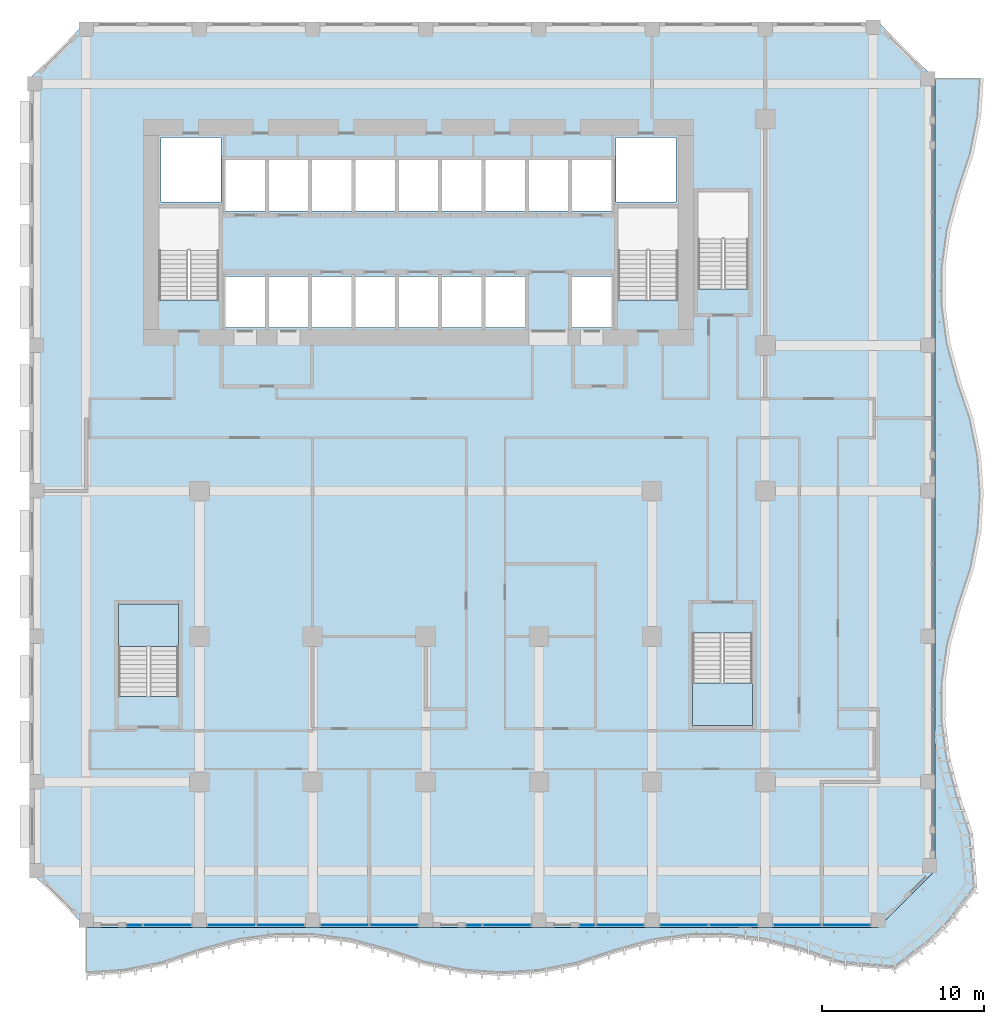
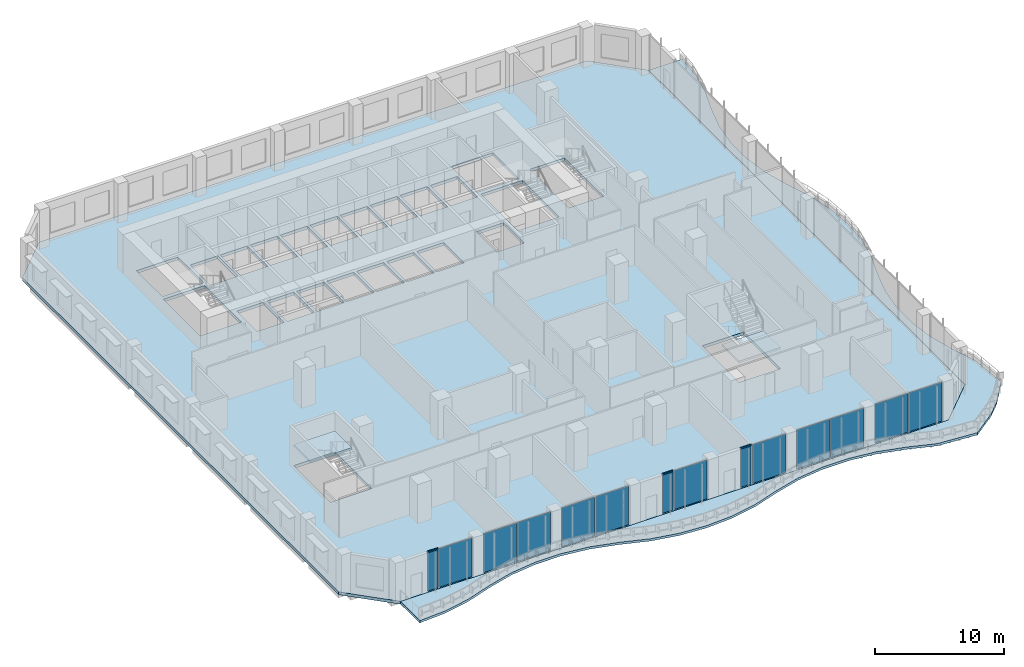
# One storey, part 10 of 26: 14 plates, 4 slabs, 3 members, 16 elements without a shape of their own.
"""IFC4 building model written with IfcOpenShell, lengths in metres."""

from ifc_helpers import new_model, si_unit, direction, frame, origin, origin_2d, place, context, subcontext, project, spatial, polyline, rectangle, outline, extrude, source, transform, mapped, material, layer, layer_set, material_profile, profile_set, type_object, element, aggregate, save


model = new_model("IFC4")

# Units and contexts
model_context = context("Model", 3, precision=1e-05, world=origin(), true_north=direction((0.0, 1.0)))
body_context = subcontext(model_context, "Body", "Model", "MODEL_VIEW")
ifc_project = project(units=[si_unit("LENGTHUNIT", "METRE"), si_unit("AREAUNIT", "SQUARE_METRE"), si_unit("VOLUMEUNIT", "CUBIC_METRE"), si_unit("PLANEANGLEUNIT", "RADIAN"), si_unit("MASSUNIT", "GRAM", prefix="KILO")], contexts=[model_context])

# Site, building, storey
site_placement = place(None, origin())
site = spatial("IfcSite", under=ifc_project, at=site_placement, CompositionType="ELEMENT")
building_placement = place(site_placement, origin())
building = spatial("IfcBuilding", under=site, at=building_placement, Name="Kilnfold Tower and Market Hall", CompositionType="ELEMENT")
storey_placement = place(building_placement, frame((0.0, 0.0, 83.199951171875)))
storey = spatial("IfcBuildingStorey", under=building, at=storey_placement, Name="L19", CompositionType="ELEMENT", Elevation=83.199951171875)

# Curtain wall, member
ifc_material_1 = material(Name="Aluminium and double glazing", Category="aluminium")
curtain_wall_type = type_object("IfcCurtainWallType", Name="CW OF1 VALLEY GLAZING", PredefinedType="NOTDEFINED", material=ifc_material_1)
curtain_wall_1_placement = place(storey_placement, origin())
curtain_wall_1 = element("IfcCurtainWall", 1, at=curtain_wall_1_placement, inside=storey, type_object=curtain_wall_type, Name="Curtain wall CW1 L19 S", PredefinedType="NOTDEFINED")
ifc_material_2 = material(Name="Aluminium", Category="aluminium")
ifc_material_profile = material_profile(ifc_material_2, rectangle(XDim=0.06005859375, YDim=0.139892578125, at=origin_2d()), Name="TRANSOM 60x140")
ifc_profile_set = profile_set([ifc_material_profile], Name="Aluminium")
member_type = type_object("IfcMemberType", Name="TRANSOM 60X140", PredefinedType="USERDEFINED", material=ifc_profile_set)
shared_shape_1 = source(origin(), body_context, "Body", "SweptSolid", [
    extrude(rectangle(XDim=0.06005859375, YDim=0.139892578125, at=origin_2d()), origin(), (0.0, 0.0, 1.0), 0.929931640625),
])
member_1_placement = place(storey_placement, frame((-16.989990234375, -27.85009765625, 3.68994140625), z_axis=(1.0, 0.0, 0.0), x_axis=(0.0, 1.0, 0.0)))
member_1 = element("IfcMember", 2, at=member_1_placement, type_object=member_type, Name="CW1 transom 1.2", ObjectType="TRANSOM", PredefinedType="USERDEFINED", context=body_context, shape_type="MappedRepresentation", body=[
    mapped(shared_shape_1, transform((0.0, 0.0, 0.0))),
])

curtain_wall_2_placement = place(storey_placement, origin())
curtain_wall_2 = element("IfcCurtainWall", 3, at=curtain_wall_2_placement, inside=storey, type_object=curtain_wall_type, Name="Curtain wall CW1 L19 S", PredefinedType="NOTDEFINED")
member_2_placement = place(storey_placement, frame((4.010009765625, -27.85009765625, 3.68994140625), z_axis=(1.0, 0.0, 0.0), x_axis=(0.0, 1.0, 0.0)))
member_2 = element("IfcMember", 4, at=member_2_placement, type_object=member_type, Name="CW1 transom 1.2", ObjectType="TRANSOM", PredefinedType="USERDEFINED", context=body_context, shape_type="MappedRepresentation", body=[
    mapped(shared_shape_1, transform((0.0, 0.0, 0.0))),
])

curtain_wall_3_placement = place(storey_placement, origin())
curtain_wall_3 = element("IfcCurtainWall", 5, at=curtain_wall_3_placement, inside=storey, type_object=curtain_wall_type, Name="Curtain wall CW1 L19 S", PredefinedType="NOTDEFINED")
member_3_placement = place(storey_placement, frame((11.010009765625, -27.85009765625, 3.68994140625), z_axis=(1.0, 0.0, 0.0), x_axis=(0.0, 1.0, 0.0)))
member_3 = element("IfcMember", 6, at=member_3_placement, type_object=member_type, Name="CW1 transom 1.2", ObjectType="TRANSOM", PredefinedType="USERDEFINED", context=body_context, shape_type="MappedRepresentation", body=[
    mapped(shared_shape_1, transform((0.0, 0.0, 0.0))),
])

# Slab
ifc_material_3 = material(Name="Concrete C45", Category="concrete")
ifc_layer_1 = layer(ifc_material_3, 0.280029296875)
ifc_layer_set_1 = layer_set([ifc_layer_1], Name="Concrete C45")
slab_type_1 = type_object("IfcSlabType", Name="FLOOR SLAB 280", PredefinedType="FLOOR", material=ifc_layer_set_1)
shared_shape_2 = source(origin(), body_context, "Body", "SweptSolid", [
    extrude(outline(polyline([(-19.5, -28.0), (29.5, -28.0), (33.0, -24.5), (33.0, 24.5), (29.5, 28.0), (-19.5, 28.0), (-23.0, 24.5), (-23.0, -24.5), (-19.5, -28.0)]), holes=[polyline([(-13.800537109375, -13.699462890625), (-17.49951171875, -13.699462890625), (-17.49951171875, -8.00048828125), (-13.800537109375, -8.00048828125), (-13.800537109375, -13.699462890625)]), polyline([(-14.99951171875, 10.800537109375), (-14.99951171875, 16.49951171875), (-11.300537109375, 16.49951171875), (-11.300537109375, 10.800537109375), (-14.99951171875, 10.800537109375)]), polyline([(-14.875, 16.875), (-14.875, 20.875), (-11.175048828125, 20.875), (-11.175048828125, 16.875), (-14.875, 16.875)]), polyline([(-10.885009765625, 9.125), (-10.885009765625, 12.27490234375), (-8.455078125, 12.27490234375), (-8.455078125, 9.125), (-10.885009765625, 9.125)]), polyline([(-8.455078125, 16.324951171875), (-10.885009765625, 16.324951171875), (-10.885009765625, 19.47509765625), (-8.455078125, 19.47509765625), (-8.455078125, 16.324951171875)]), polyline([(-8.205078125, 9.125), (-8.205078125, 12.27490234375), (-5.77490234375, 12.27490234375), (-5.77490234375, 9.125), (-8.205078125, 9.125)]), polyline([(-8.205078125, 16.324951171875), (-8.205078125, 19.47509765625), (-5.77490234375, 19.47509765625), (-5.77490234375, 16.324951171875), (-8.205078125, 16.324951171875)]), polyline([(-3.094970703125, 9.125), (-5.52490234375, 9.125), (-5.52490234375, 12.27490234375), (-3.094970703125, 12.27490234375), (-3.094970703125, 9.125)]), polyline([(-5.52490234375, 16.324951171875), (-5.52490234375, 19.47509765625), (-3.094970703125, 19.47509765625), (-3.094970703125, 16.324951171875), (-5.52490234375, 16.324951171875)]), polyline([(-2.844970703125, 9.125), (-2.844970703125, 12.27490234375), (-0.4150390625, 12.27490234375), (-0.4150390625, 9.125), (-2.844970703125, 9.125)]), polyline([(-0.4150390625, 16.324951171875), (-2.844970703125, 16.324951171875), (-2.844970703125, 19.47509765625), (-0.4150390625, 19.47509765625), (-0.4150390625, 16.324951171875)]), polyline([(-0.1650390625, 9.125), (-0.1650390625, 12.27490234375), (2.264892578125, 12.27490234375), (2.264892578125, 9.125), (-0.1650390625, 9.125)]), polyline([(-0.1650390625, 16.324951171875), (-0.1650390625, 19.47509765625), (2.264892578125, 19.47509765625), (2.264892578125, 16.324951171875), (-0.1650390625, 16.324951171875)]), polyline([(2.514892578125, 9.125), (2.514892578125, 12.27490234375), (4.945068359375, 12.27490234375), (4.945068359375, 9.125), (2.514892578125, 9.125)]), polyline([(2.514892578125, 16.324951171875), (2.514892578125, 19.47509765625), (4.945068359375, 19.47509765625), (4.945068359375, 16.324951171875), (2.514892578125, 16.324951171875)]), polyline([(7.625, 9.125), (5.195068359375, 9.125), (5.195068359375, 12.27490234375), (7.625, 12.27490234375), (7.625, 9.125)]), polyline([(5.195068359375, 16.324951171875), (5.195068359375, 19.47509765625), (7.625, 19.47509765625), (7.625, 16.324951171875), (5.195068359375, 16.324951171875)]), polyline([(10.304931640625, 16.324951171875), (7.875, 16.324951171875), (7.875, 19.47509765625), (10.304931640625, 19.47509765625), (10.304931640625, 16.324951171875)]), polyline([(10.554931640625, 9.125), (10.554931640625, 12.27490234375), (12.985107421875, 12.27490234375), (12.985107421875, 9.125), (10.554931640625, 9.125)]), polyline([(10.554931640625, 16.324951171875), (10.554931640625, 19.47509765625), (12.985107421875, 19.47509765625), (12.985107421875, 16.324951171875), (10.554931640625, 16.324951171875)]), polyline([(13.27490234375, 16.875), (13.27490234375, 20.875), (16.97509765625, 20.875), (16.97509765625, 16.875), (13.27490234375, 16.875)]), polyline([(13.400390625, 10.800537109375), (13.400390625, 16.49951171875), (17.099609375, 16.49951171875), (17.099609375, 10.800537109375), (13.400390625, 10.800537109375)]), polyline([(18.00048828125, -9.800537109375), (21.699462890625, -9.800537109375), (21.699462890625, -15.49951171875), (18.00048828125, -15.49951171875), (18.00048828125, -9.800537109375)]), polyline([(21.449462890625, 11.50048828125), (18.3505859375, 11.50048828125), (18.3505859375, 17.49951171875), (21.449462890625, 17.49951171875), (21.449462890625, 11.50048828125)])]), origin(), (0.0, 0.0, 1.0), 0.280029296875),
])
slab_1_placement = place(storey_placement, frame((0.0, 0.0, -0.280029296875)))
element("IfcSlab", 7, at=slab_1_placement, inside=storey, type_object=slab_type_1, Name="Floor slab L19", PredefinedType="FLOOR", context=body_context, shape_type="MappedRepresentation", body=[
    mapped(shared_shape_2, transform((0.0, 0.0, 0.0))),
])

# Plate
ifc_material_4 = material(Name="Double glazed unit")
ifc_layer_2 = layer(ifc_material_4, 0.031982421875)
ifc_layer_set_2 = layer_set([ifc_layer_2], Name="Double glazed unit")
plate_type = type_object("IfcPlateType", Name="GLAZING PANEL 32", PredefinedType="CURTAIN_PANEL", material=ifc_layer_set_2)
shared_shape_3 = source(origin(), body_context, "Body", "SweptSolid", [
    extrude(rectangle(XDim=0.929931640625, YDim=0.031982421875, at=origin_2d()), origin(), (0.0, 0.0, 1.0), 3.659912109375),
])
plate_1_placement = place(storey_placement, frame((-16.52490234375, -27.85009765625, 0.0), z_axis=(0.0, 0.0, 1.0), x_axis=(1.0, 0.0, 0.0)))
plate_1 = element("IfcPlate", 8, at=plate_1_placement, type_object=plate_type, Name="CW1 panel 1.1", PredefinedType="CURTAIN_PANEL", context=body_context, shape_type="MappedRepresentation", body=[
    mapped(shared_shape_3, transform((0.0, 0.0, 0.0))),
])

aggregate(curtain_wall_1, [member_1, plate_1])

plate_2_placement = place(storey_placement, frame((4.47509765625, -27.85009765625, 0.0), z_axis=(0.0, 0.0, 1.0), x_axis=(1.0, 0.0, 0.0)))
plate_2 = element("IfcPlate", 9, at=plate_2_placement, type_object=plate_type, Name="CW1 panel 1.1", PredefinedType="CURTAIN_PANEL", context=body_context, shape_type="MappedRepresentation", body=[
    mapped(shared_shape_3, transform((0.0, 0.0, 0.0))),
])

aggregate(curtain_wall_2, [member_2, plate_2])

plate_3_placement = place(storey_placement, frame((11.47509765625, -27.85009765625, 0.0), z_axis=(0.0, 0.0, 1.0), x_axis=(1.0, 0.0, 0.0)))
plate_3 = element("IfcPlate", 10, at=plate_3_placement, type_object=plate_type, Name="CW1 panel 1.1", PredefinedType="CURTAIN_PANEL", context=body_context, shape_type="MappedRepresentation", body=[
    mapped(shared_shape_3, transform((0.0, 0.0, 0.0))),
])

aggregate(curtain_wall_3, [member_3, plate_3])

# Curtain wall, plate
curtain_wall_4_placement = place(storey_placement, origin())
curtain_wall_4 = element("IfcCurtainWall", 11, at=curtain_wall_4_placement, inside=storey, type_object=curtain_wall_type, Name="Curtain wall CW1 L19 S", PredefinedType="NOTDEFINED")
shared_shape_4 = source(origin(), body_context, "Body", "SweptSolid", [
    extrude(rectangle(XDim=2.929931640625, YDim=0.031982421875, at=origin_2d()), origin(), (0.0, 0.0, 1.0), 3.659912109375),
])
plate_4_placement = place(storey_placement, frame((-14.47509765625, -27.85009765625, 0.0), z_axis=(0.0, 0.0, 1.0), x_axis=(1.0, 0.0, 0.0)))
plate_4 = element("IfcPlate", 12, at=plate_4_placement, type_object=plate_type, Name="CW1 panel 1.1", PredefinedType="CURTAIN_PANEL", context=body_context, shape_type="MappedRepresentation", body=[
    mapped(shared_shape_4, transform((0.0, 0.0, 0.0))),
])
aggregate(curtain_wall_4, [plate_4])

curtain_wall_5_placement = place(storey_placement, origin())
curtain_wall_5 = element("IfcCurtainWall", 13, at=curtain_wall_5_placement, inside=storey, type_object=curtain_wall_type, Name="Curtain wall CW1 L19 S", PredefinedType="NOTDEFINED")
plate_5_placement = place(storey_placement, frame((-10.52490234375, -27.85009765625, 0.0), z_axis=(0.0, 0.0, 1.0), x_axis=(1.0, 0.0, 0.0)))
plate_5 = element("IfcPlate", 14, at=plate_5_placement, type_object=plate_type, Name="CW1 panel 1.1", PredefinedType="CURTAIN_PANEL", context=body_context, shape_type="MappedRepresentation", body=[
    mapped(shared_shape_4, transform((0.0, 0.0, 0.0))),
])
aggregate(curtain_wall_5, [plate_5])

curtain_wall_6_placement = place(storey_placement, origin())
curtain_wall_6 = element("IfcCurtainWall", 15, at=curtain_wall_6_placement, inside=storey, type_object=curtain_wall_type, Name="Curtain wall CW1 L19 S", PredefinedType="NOTDEFINED")
plate_6_placement = place(storey_placement, frame((-7.47509765625, -27.85009765625, 0.0), z_axis=(0.0, 0.0, 1.0), x_axis=(1.0, 0.0, 0.0)))
plate_6 = element("IfcPlate", 16, at=plate_6_placement, type_object=plate_type, Name="CW1 panel 1.1", PredefinedType="CURTAIN_PANEL", context=body_context, shape_type="MappedRepresentation", body=[
    mapped(shared_shape_4, transform((0.0, 0.0, 0.0))),
])
aggregate(curtain_wall_6, [plate_6])

curtain_wall_7_placement = place(storey_placement, origin())
curtain_wall_7 = element("IfcCurtainWall", 17, at=curtain_wall_7_placement, inside=storey, type_object=curtain_wall_type, Name="Curtain wall CW1 L19 S", PredefinedType="NOTDEFINED")
plate_7_placement = place(storey_placement, frame((-3.52490234375, -27.85009765625, 0.0), z_axis=(0.0, 0.0, 1.0), x_axis=(1.0, 0.0, 0.0)))
plate_7 = element("IfcPlate", 18, at=plate_7_placement, type_object=plate_type, Name="CW1 panel 1.1", PredefinedType="CURTAIN_PANEL", context=body_context, shape_type="MappedRepresentation", body=[
    mapped(shared_shape_4, transform((0.0, 0.0, 0.0))),
])
aggregate(curtain_wall_7, [plate_7])

curtain_wall_8_placement = place(storey_placement, origin())
curtain_wall_8 = element("IfcCurtainWall", 19, at=curtain_wall_8_placement, inside=storey, type_object=curtain_wall_type, Name="Curtain wall CW1 L19 S", PredefinedType="NOTDEFINED")
plate_8_placement = place(storey_placement, frame((-0.47509765625, -27.85009765625, 0.0), z_axis=(0.0, 0.0, 1.0), x_axis=(1.0, 0.0, 0.0)))
plate_8 = element("IfcPlate", 20, at=plate_8_placement, type_object=plate_type, Name="CW1 panel 1.1", PredefinedType="CURTAIN_PANEL", context=body_context, shape_type="MappedRepresentation", body=[
    mapped(shared_shape_4, transform((0.0, 0.0, 0.0))),
])
aggregate(curtain_wall_8, [plate_8])

curtain_wall_9_placement = place(storey_placement, origin())
curtain_wall_9 = element("IfcCurtainWall", 21, at=curtain_wall_9_placement, inside=storey, type_object=curtain_wall_type, Name="Curtain wall CW1 L19 S", PredefinedType="NOTDEFINED")
plate_9_placement = place(storey_placement, frame((6.52490234375, -27.85009765625, 0.0), z_axis=(0.0, 0.0, 1.0), x_axis=(1.0, 0.0, 0.0)))
plate_9 = element("IfcPlate", 22, at=plate_9_placement, type_object=plate_type, Name="CW1 panel 1.1", PredefinedType="CURTAIN_PANEL", context=body_context, shape_type="MappedRepresentation", body=[
    mapped(shared_shape_4, transform((0.0, 0.0, 0.0))),
])
aggregate(curtain_wall_9, [plate_9])

curtain_wall_10_placement = place(storey_placement, origin())
curtain_wall_10 = element("IfcCurtainWall", 23, at=curtain_wall_10_placement, inside=storey, type_object=curtain_wall_type, Name="Curtain wall CW1 L19 S", PredefinedType="NOTDEFINED")
plate_10_placement = place(storey_placement, frame((13.52490234375, -27.85009765625, 0.0), z_axis=(0.0, 0.0, 1.0), x_axis=(1.0, 0.0, 0.0)))
plate_10 = element("IfcPlate", 24, at=plate_10_placement, type_object=plate_type, Name="CW1 panel 1.1", PredefinedType="CURTAIN_PANEL", context=body_context, shape_type="MappedRepresentation", body=[
    mapped(shared_shape_4, transform((0.0, 0.0, 0.0))),
])
aggregate(curtain_wall_10, [plate_10])

curtain_wall_11_placement = place(storey_placement, origin())
curtain_wall_11 = element("IfcCurtainWall", 25, at=curtain_wall_11_placement, inside=storey, type_object=curtain_wall_type, Name="Curtain wall CW1 L19 S", PredefinedType="NOTDEFINED")
plate_11_placement = place(storey_placement, frame((17.47509765625, -27.85009765625, 0.0), z_axis=(0.0, 0.0, 1.0), x_axis=(1.0, 0.0, 0.0)))
plate_11 = element("IfcPlate", 26, at=plate_11_placement, type_object=plate_type, Name="CW1 panel 1.1", PredefinedType="CURTAIN_PANEL", context=body_context, shape_type="MappedRepresentation", body=[
    mapped(shared_shape_4, transform((0.0, 0.0, 0.0))),
])
aggregate(curtain_wall_11, [plate_11])

curtain_wall_12_placement = place(storey_placement, origin())
curtain_wall_12 = element("IfcCurtainWall", 27, at=curtain_wall_12_placement, inside=storey, type_object=curtain_wall_type, Name="Curtain wall CW1 L19 S", PredefinedType="NOTDEFINED")
plate_12_placement = place(storey_placement, frame((20.52490234375, -27.85009765625, 0.0), z_axis=(0.0, 0.0, 1.0), x_axis=(1.0, 0.0, 0.0)))
plate_12 = element("IfcPlate", 28, at=plate_12_placement, type_object=plate_type, Name="CW1 panel 1.1", PredefinedType="CURTAIN_PANEL", context=body_context, shape_type="MappedRepresentation", body=[
    mapped(shared_shape_4, transform((0.0, 0.0, 0.0))),
])
aggregate(curtain_wall_12, [plate_12])

curtain_wall_13_placement = place(storey_placement, origin())
curtain_wall_13 = element("IfcCurtainWall", 29, at=curtain_wall_13_placement, inside=storey, type_object=curtain_wall_type, Name="Curtain wall CW1 L19 S", PredefinedType="NOTDEFINED")
plate_13_placement = place(storey_placement, frame((24.47509765625, -27.85009765625, 0.0), z_axis=(0.0, 0.0, 1.0), x_axis=(1.0, 0.0, 0.0)))
plate_13 = element("IfcPlate", 30, at=plate_13_placement, type_object=plate_type, Name="CW1 panel 1.1", PredefinedType="CURTAIN_PANEL", context=body_context, shape_type="MappedRepresentation", body=[
    mapped(shared_shape_4, transform((0.0, 0.0, 0.0))),
])
aggregate(curtain_wall_13, [plate_13])

curtain_wall_14_placement = place(storey_placement, origin())
curtain_wall_14 = element("IfcCurtainWall", 31, at=curtain_wall_14_placement, inside=storey, type_object=curtain_wall_type, Name="Curtain wall CW1 L19 S", PredefinedType="NOTDEFINED")
plate_14_placement = place(storey_placement, frame((27.52490234375, -27.85009765625, 0.0), z_axis=(0.0, 0.0, 1.0), x_axis=(1.0, 0.0, 0.0)))
plate_14 = element("IfcPlate", 32, at=plate_14_placement, type_object=plate_type, Name="CW1 panel 1.1", PredefinedType="CURTAIN_PANEL", context=body_context, shape_type="MappedRepresentation", body=[
    mapped(shared_shape_4, transform((0.0, 0.0, 0.0))),
])
aggregate(curtain_wall_14, [plate_14])

# Slab
ifc_material_5 = material(Name="Concrete C40/50", Category="concrete")
ifc_layer_3 = layer(ifc_material_5, 0.219970703125)
ifc_layer_set_3 = layer_set([ifc_layer_3], Name="Concrete C40/50")
slab_type_2 = type_object("IfcSlabType", Name="BALCONY SLAB 220", PredefinedType="FLOOR", material=ifc_layer_set_3)
shared_shape_5 = source(origin(), body_context, "Body", "SweptSolid", [
    extrude(outline(polyline([(-19.5, -28.0), (29.5, -28.0), (33.0, -24.5), (33.0, 24.5), (36.0, 24.5), (35.8466796875, 22.166748046875), (35.379150390625, 19.833251953125), (34.59228515625, 17.5), (33.95361328125, 15.166748046875), (33.640380859375, 12.833251953125), (33.635986328125, 10.5), (33.939453125, 8.166748046875), (34.56787109375, 5.833251953125), (35.35986328125, 3.5), (35.83740234375, 1.166748046875), (36.0, -1.166748046875), (35.85595703125, -3.5), (35.398193359375, -5.833251953125), (34.6171875, -8.166748046875), (33.968017578125, -10.5), (33.6455078125, -12.833251953125), (33.631591796875, -15.166748046875), (33.925537109375, -17.5), (34.543701171875, -19.833251953125), (35.340087890625, -22.166748046875), (35.6123046875, -25.58203125), (33.941162109375, -27.7744140625), (32.7744140625, -28.941162109375), (30.58203125, -30.6123046875), (27.166748046875, -30.340087890625), (24.833251953125, -29.543701171875), (22.5, -28.925537109375), (20.166748046875, -28.631591796875), (17.833251953125, -28.6455078125), (15.5, -28.968017578125), (13.166748046875, -29.6171875), (10.833251953125, -30.398193359375), (8.5, -30.85595703125), (6.166748046875, -31.0), (3.833251953125, -30.83740234375), (1.5, -30.35986328125), (-0.833251953125, -29.56787109375), (-3.166748046875, -28.939453125), (-5.5, -28.635986328125), (-7.833251953125, -28.640380859375), (-10.166748046875, -28.95361328125), (-12.5, -29.59228515625), (-14.833251953125, -30.379150390625), (-17.166748046875, -30.8466796875), (-19.5, -31.0), (-19.5, -28.0)])), origin(), (0.0, 0.0, 1.0), 0.219970703125),
])
slab_2_placement = place(storey_placement, frame((0.0, 0.0, -0.219970703125)))
element("IfcSlab", 33, at=slab_2_placement, inside=storey, type_object=slab_type_2, Name="Balcony slab L19", PredefinedType="FLOOR", context=body_context, shape_type="MappedRepresentation", body=[
    mapped(shared_shape_5, transform((0.0, 0.0, 0.0))),
])

# Stair, slab
ifc_material_6 = material(Name="Concrete C40/50", Category="concrete")
stair_type = type_object("IfcStairType", Name="CORE STAIR 1800", PredefinedType="HALF_TURN_STAIR", material=ifc_material_6)
stair_1_placement = place(storey_placement, origin())
stair_1 = element("IfcStair", 34, at=stair_1_placement, inside=storey, type_object=stair_type, Name="L19 ST3", PredefinedType="HALF_TURN_STAIR")
ifc_material_7 = material(Name="Concrete C40/50", Category="concrete")
ifc_layer_4 = layer(ifc_material_7, 0.199951171875)
ifc_layer_set_4 = layer_set([ifc_layer_4], Name="Concrete C40/50")
slab_type_3 = type_object("IfcSlabType", Name="CORE STAIR LANDING 200", PredefinedType="LANDING", material=ifc_layer_set_4)
shared_shape_6 = source(origin(), body_context, "Body", "SweptSolid", [
    extrude(outline(polyline([(-13.800048828125, -10.6201171875), (-13.800048828125, -8.0), (-17.5, -8.0), (-17.5, -10.6201171875), (-13.800048828125, -10.6201171875)])), origin(), (0.0, 0.0, 1.0), 0.199951171875),
])
slab_3_placement = place(storey_placement, frame((0.0, 0.0, 1.800048828125)))
slab_3 = element("IfcSlab", 35, at=slab_3_placement, type_object=slab_type_3, Name="ST3 landing 1", PredefinedType="LANDING", context=body_context, shape_type="MappedRepresentation", body=[
    mapped(shared_shape_6, transform((0.0, 0.0, 0.0))),
])
aggregate(stair_1, [slab_3])

stair_2_placement = place(storey_placement, origin())
stair_2 = element("IfcStair", 36, at=stair_2_placement, inside=storey, type_object=stair_type, Name="L19 ST4", PredefinedType="HALF_TURN_STAIR")
shared_shape_7 = source(origin(), body_context, "Body", "SweptSolid", [
    extrude(outline(polyline([(18.0, -12.8798828125), (18.0, -15.5), (21.699951171875, -15.5), (21.699951171875, -12.8798828125), (18.0, -12.8798828125)])), origin(), (0.0, 0.0, 1.0), 0.199951171875),
])
slab_4_placement = place(storey_placement, frame((0.0, 0.0, 1.800048828125)))
slab_4 = element("IfcSlab", 37, at=slab_4_placement, type_object=slab_type_3, Name="ST4 landing 1", PredefinedType="LANDING", context=body_context, shape_type="MappedRepresentation", body=[
    mapped(shared_shape_7, transform((0.0, 0.0, 0.0))),
])
aggregate(stair_2, [slab_4])

save(model, "model.ifc")
